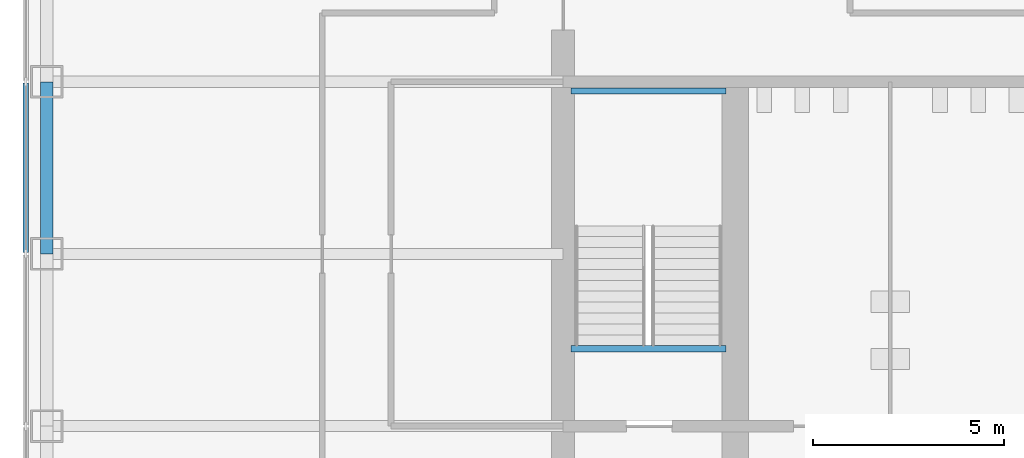
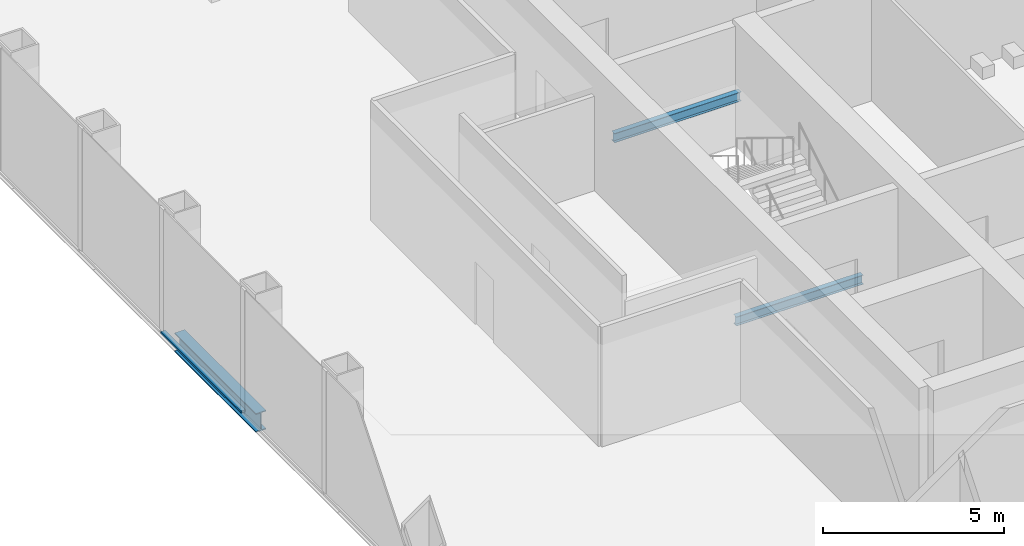
# One storey, part 3 of 12: 3 beams, 1 member, 1 element without a shape of its own.
"""IFC4 building model written with IfcOpenShell, lengths in metres."""

from ifc_helpers import new_model, si_unit, direction, frame, origin, origin_2d, place, context, subcontext, project, spatial, rectangle, i_section, extrude, material, material_profile, profile_set, type_object, element, aggregate, save


model = new_model("IFC4")

# Units and contexts
model_context = context("Model", 3, precision=1e-05, world=origin(), true_north=direction((0.0, 1.0)))
body_context = subcontext(model_context, "Body", "Model", "MODEL_VIEW")
ifc_project = project(units=[si_unit("LENGTHUNIT", "METRE"), si_unit("AREAUNIT", "SQUARE_METRE"), si_unit("VOLUMEUNIT", "CUBIC_METRE"), si_unit("PLANEANGLEUNIT", "RADIAN"), si_unit("MASSUNIT", "GRAM", prefix="KILO")], contexts=[model_context])

# Site, building, storey
site_placement = place(None, origin())
site = spatial("IfcSite", under=ifc_project, at=site_placement, CompositionType="ELEMENT")
building_placement = place(site_placement, origin())
building = spatial("IfcBuilding", under=site, at=building_placement, Name="Corais Broadcast Tower", CompositionType="ELEMENT")
storey_placement = place(building_placement, frame((0.0, 0.0, 41.60009765625)))
storey = spatial("IfcBuildingStorey", under=building, at=storey_placement, Name="L08", CompositionType="ELEMENT", Elevation=41.60009765625)

# Beams
ifc_material_1 = material(Name="Steel ASTM A572 Grade 50", Category="steel")
ifc_material_profile_1 = material_profile(ifc_material_1, i_section(OverallWidth=0.1650390625, OverallDepth=0.31005859375, WebThickness=0.005859375, FlangeThickness=0.009765625, at=origin_2d()), Name="W310x38.7")
ifc_profile_set_1 = profile_set([ifc_material_profile_1], Name="Steel ASTM A572 Grade 50")
beam_type_1 = type_object("IfcBeamType", Name="Landing trimmer W310x38.7", PredefinedType="BEAM", material=ifc_profile_set_1)
for number, where, z_axis, x_axis, name in (
    (1, (13.699951171875, 24.52490234375, -0.35498046875), (1.0, 0.0, 0.0), (0.0, 1.0, 0.0), "LT1 stair A landing trimmer L08"),
    (2, (13.699951171875, 31.260009765625, 1.744873046875), (1.0, 0.0, 0.0), (0.0, 1.0, 0.0), "LT1 stair A half landing trimmer L08"),
):
    element("IfcBeam", number, at=place(storey_placement, frame(where, z_axis=z_axis, x_axis=x_axis)), inside=storey, type_object=beam_type_1, Name=name, PredefinedType="BEAM", context=body_context, shape_type="SweptSolid", body=[
        extrude(i_section(OverallWidth=0.1650390625, OverallDepth=0.31005859375, WebThickness=0.005859375, FlangeThickness=0.009765625, at=origin_2d()), origin(), (0.0, 0.0, 1.0), 4.050048828125),
    ])
ifc_material_2 = material(Name="Steel ASTM A572 Grade 50", Category="steel")
ifc_material_profile_2 = material_profile(ifc_material_2, i_section(OverallWidth=0.3291015625, OverallDepth=0.635009765625, WebThickness=0.017822265625, FlangeThickness=0.031005859375, at=origin_2d()), Name="W610x241")
ifc_profile_set_2 = profile_set([ifc_material_profile_2], Name="Steel ASTM A572 Grade 50")
beam_type_2 = type_object("IfcBeamType", Name="Spandrel W610x241", PredefinedType="BEAM", material=ifc_profile_set_2)
beam_placement = place(storey_placement, frame((0.0, 31.5, -0.4775390625), z_axis=(0.0, -1.0, 0.0), x_axis=(1.0, 0.0, 0.0)))
element("IfcBeam", 3, at=beam_placement, inside=storey, type_object=beam_type_2, Name="SB1 H/3 to G/3", PredefinedType="BEAM", context=body_context, shape_type="SweptSolid", body=[
    extrude(i_section(OverallWidth=0.3291015625, OverallDepth=0.635009765625, WebThickness=0.017822265625, FlangeThickness=0.031005859375, at=origin_2d()), origin(), (0.0, 0.0, 1.0), 4.5),
])

# Curtain wall, member
ifc_material_3 = material(Name="Aluminium and glass", Category="aluminium")
curtain_wall_type = type_object("IfcCurtainWallType", Name="Newsroom clear-glass curtain wall CW7", PredefinedType="NOTDEFINED", material=ifc_material_3)
curtain_wall_placement = place(storey_placement, origin())
curtain_wall = element("IfcCurtainWall", 4, at=curtain_wall_placement, inside=storey, type_object=curtain_wall_type, Name="CW7 curtain wall L08 2", PredefinedType="NOTDEFINED")
ifc_material_4 = material(Name="Aluminium 6063-T6", Category="aluminium")
ifc_material_profile_3 = material_profile(ifc_material_4, rectangle(XDim=0.14990234375, YDim=0.06494140625, at=origin_2d()), Name="Transom CW7 65x150")
ifc_profile_set_3 = profile_set([ifc_material_profile_3], Name="Aluminium 6063-T6")
member_type = type_object("IfcMemberType", Name="Transom CW7 65x150", PredefinedType="USERDEFINED", material=ifc_profile_set_3)
member_placement = place(storey_placement, frame((-0.550048828125, 27.032470703125, 0.032470703125), z_axis=(0.0, 1.0, 0.0), x_axis=(-1.0, 0.0, 0.0)))
member = element("IfcMember", 5, at=member_placement, type_object=member_type, Name="CW7 transom 6.1", ObjectType="TRANSOM", PredefinedType="USERDEFINED", context=body_context, shape_type="SweptSolid", body=[
    extrude(rectangle(XDim=0.14990234375, YDim=0.06494140625, at=origin_2d()), origin(), (0.0, 0.0, 1.0), 4.43505859375),
])
aggregate(curtain_wall, [member])

save(model, "model.ifc")
